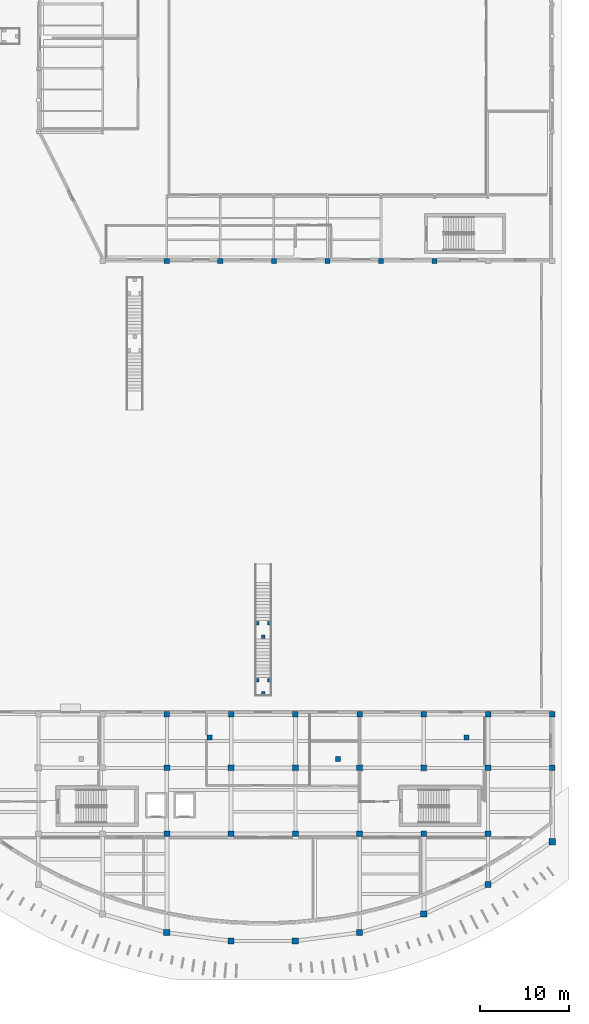
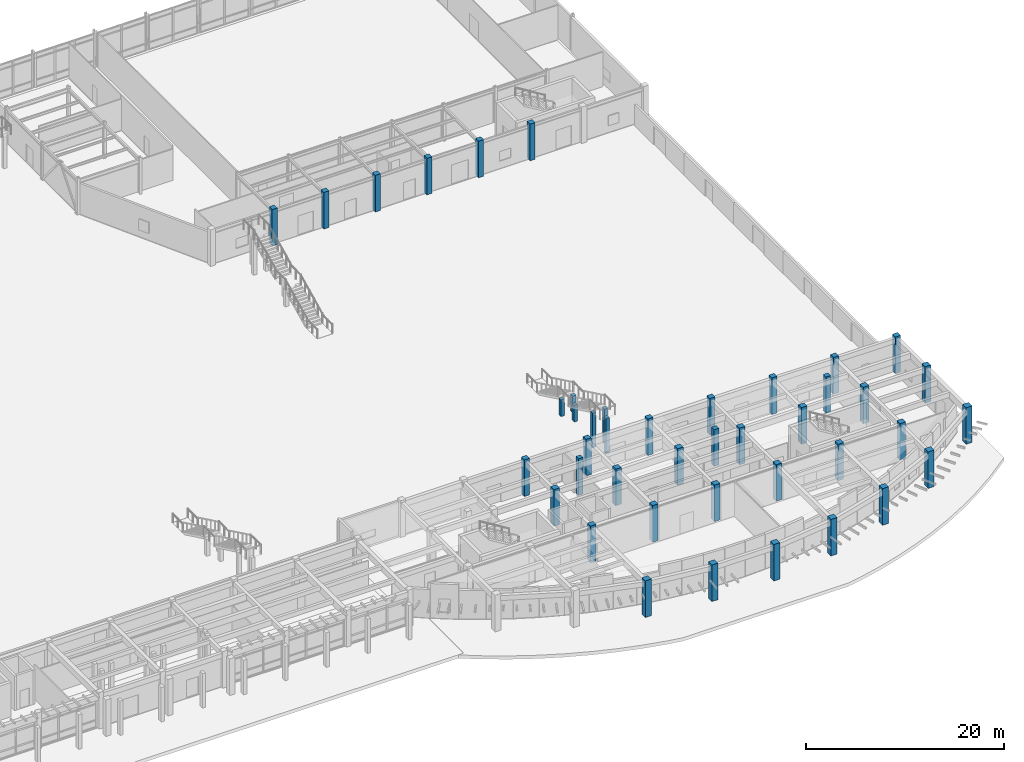
# One storey, part 4 of 58: 42 columns.
"""IFC4 building model written with IfcOpenShell, lengths in metres."""

from ifc_helpers import new_model, si_unit, direction, frame, origin, origin_2d, place, context, subcontext, project, spatial, rectangle, extrude, material, material_profile, profile_set, type_object, element, save


model = new_model("IFC4")

# Units and contexts
model_context = context("Model", 3, precision=1e-05, world=origin(), true_north=direction((0.0, 1.0)))
body_context = subcontext(model_context, "Body", "Model", "MODEL_VIEW")
ifc_project = project(units=[si_unit("LENGTHUNIT", "METRE"), si_unit("AREAUNIT", "SQUARE_METRE"), si_unit("VOLUMEUNIT", "CUBIC_METRE"), si_unit("PLANEANGLEUNIT", "RADIAN"), si_unit("MASSUNIT", "GRAM", prefix="KILO")], contexts=[model_context])

# Site, building, storey
site_placement = place(None, origin())
site = spatial("IfcSite", under=ifc_project, at=site_placement, CompositionType="ELEMENT")
building_placement = place(site_placement, origin())
building = spatial("IfcBuilding", under=site, at=building_placement, Name="Brisavento Harbour Community Centre", CompositionType="ELEMENT")
storey_placement = place(building_placement, origin())
storey = spatial("IfcBuildingStorey", under=building, at=storey_placement, Name="L00", CompositionType="ELEMENT", Elevation=0.0)

# Columns
ifc_material_1 = material(Name="Concrete C35/45", Category="concrete")
ifc_material_profile_1 = material_profile(ifc_material_1, rectangle(XDim=0.39990234375, YDim=0.39990234375, at=origin_2d()), Name="Concrete C35/45")
ifc_profile_set_1 = profile_set([ifc_material_profile_1], Name="Concrete C35/45")
column_type_1 = type_object("IfcColumnType", Name="COL-RC-400", PredefinedType="COLUMN", material=ifc_profile_set_1)
for number, where, z_axis, x_axis, name in (
    (1, (139.719970703125, 38.60009765625, 0.0), (0.0, 0.0, 1.0), (1.0, 0.0, 0.0), "MST-05 MID support column 1 L00"),
    (2, (141.080078125, 38.60009765625, 0.0), (0.0, 0.0, 1.0), (1.0, 0.0, 0.0), "MST-05 MID support column 2 L00"),
    (3, (140.39990234375, 37.110107421875, 0.0), (0.0, 0.0, 1.0), (1.0, 0.0, 0.0), "MST-05 MID support column 3 L00"),
):
    element("IfcColumn", number, at=place(storey_placement, frame(where, z_axis=z_axis, x_axis=x_axis)), inside=storey, type_object=column_type_1, Name=name, PredefinedType="COLUMN", context=body_context, shape_type="SweptSolid", body=[
        extrude(rectangle(XDim=0.39990234375, YDim=0.39990234375, at=origin_2d()), origin(), (0.0, 0.0, 1.0), 2.050048828125),
    ])
for number, where, z_axis, x_axis, name in (
    (4, (139.719970703125, 32.22998046875, 0.0), (0.0, 0.0, 1.0), (1.0, 0.0, 0.0), "MST-05 TOP support column 1 L00"),
    (5, (141.080078125, 32.22998046875, 0.0), (0.0, 0.0, 1.0), (1.0, 0.0, 0.0), "MST-05 TOP support column 2 L00"),
    (6, (140.39990234375, 30.739990234375, 0.0), (0.0, 0.0, 1.0), (1.0, 0.0, 0.0), "MST-05 TOP support column 3 L00"),
):
    element("IfcColumn", number, at=place(storey_placement, frame(where, z_axis=z_axis, x_axis=x_axis)), inside=storey, type_object=column_type_1, Name=name, PredefinedType="COLUMN", context=body_context, shape_type="SweptSolid", body=[
        extrude(rectangle(XDim=0.39990234375, YDim=0.39990234375, at=origin_2d()), origin(), (0.0, 0.0, 1.0), 4.300048828125),
    ])
ifc_material_profile_2 = material_profile(ifc_material_1, rectangle(XDim=0.550048828125, YDim=0.550048828125, at=origin_2d()), Name="Concrete C35/45")
ifc_profile_set_2 = profile_set([ifc_material_profile_2], Name="Concrete C35/45")
column_type_2 = type_object("IfcColumnType", Name="COL-RC-550", PredefinedType="COLUMN", material=ifc_profile_set_2)
for number, where, z_axis, x_axis, name in (
    (7, (134.39990234375, 25.800048828125, 0.0), (0.0, 0.0, 1.0), (1.0, 0.0, 0.0), "L00 column V3TER-134"),
    (8, (148.800048828125, 23.39990234375, 0.0), (0.0, 0.0, 1.0), (1.0, 0.0, 0.0), "L00 column V3TER-148"),
    (9, (163.199951171875, 25.800048828125, 0.0), (0.0, 0.0, 1.0), (1.0, 0.0, 0.0), "L00 column V3TER-163"),
):
    element("IfcColumn", number, at=place(storey_placement, frame(where, z_axis=z_axis, x_axis=x_axis)), inside=storey, type_object=column_type_2, Name=name, PredefinedType="COLUMN", context=body_context, shape_type="SweptSolid", body=[
        extrude(rectangle(XDim=0.550048828125, YDim=0.550048828125, at=origin_2d()), origin(), (0.0, 0.0, 1.0), 4.5),
    ])
ifc_material_profile_3 = material_profile(ifc_material_1, rectangle(XDim=0.60009765625, YDim=0.60009765625, at=origin_2d()), Name="Concrete C35/45")
ifc_profile_set_3 = profile_set([ifc_material_profile_3], Name="Concrete C35/45")
column_type_3 = type_object("IfcColumnType", Name="COL-RC-600", PredefinedType="COLUMN", material=ifc_profile_set_3)
for number, where, z_axis, x_axis, name in (
    (10, (129.60009765625, 28.39990234375, 0.0), (0.0, 0.0, 1.0), (1.0, 0.0, 0.0), "L00 column V3N2-129"),
    (11, (136.800048828125, 28.39990234375, 0.0), (0.0, 0.0, 1.0), (1.0, 0.0, 0.0), "L00 column V3N2-136"),
    (12, (144.0, 28.39990234375, 0.0), (0.0, 0.0, 1.0), (1.0, 0.0, 0.0), "L00 column V3N2-144"),
    (13, (151.199951171875, 28.39990234375, 0.0), (0.0, 0.0, 1.0), (1.0, 0.0, 0.0), "L00 column V3N2-151"),
    (14, (158.39990234375, 28.39990234375, 0.0), (0.0, 0.0, 1.0), (1.0, 0.0, 0.0), "L00 column V3N2-158"),
    (15, (165.60009765625, 28.39990234375, 0.0), (0.0, 0.0, 1.0), (1.0, 0.0, 0.0), "L00 column V3N2-165"),
    (16, (172.800048828125, 28.39990234375, 0.0), (0.0, 0.0, 1.0), (1.0, 0.0, 0.0), "L00 column V3N2-172"),
    (17, (129.60009765625, 79.199951171875, 0.0), (0.0, 0.0, 1.0), (1.0, 0.0, 0.0), "L00 column V4SB-1"),
    (18, (135.60009765625, 79.199951171875, 0.0), (0.0, 0.0, 1.0), (1.0, 0.0, 0.0), "L00 column V4SB-2"),
    (19, (141.60009765625, 79.199951171875, 0.0), (0.0, 0.0, 1.0), (1.0, 0.0, 0.0), "L00 column V4SB-3"),
    (20, (147.60009765625, 79.199951171875, 0.0), (0.0, 0.0, 1.0), (1.0, 0.0, 0.0), "L00 column V4SB-4"),
    (21, (153.60009765625, 79.199951171875, 0.0), (0.0, 0.0, 1.0), (1.0, 0.0, 0.0), "L00 column V4SB-5"),
    (22, (159.60009765625, 79.199951171875, 0.0), (0.0, 0.0, 1.0), (1.0, 0.0, 0.0), "L00 column V4SB-6"),
):
    element("IfcColumn", number, at=place(storey_placement, frame(where, z_axis=z_axis, x_axis=x_axis)), inside=storey, type_object=column_type_3, Name=name, PredefinedType="COLUMN", context=body_context, shape_type="SweptSolid", body=[
        extrude(rectangle(XDim=0.60009765625, YDim=0.60009765625, at=origin_2d()), origin(), (0.0, 0.0, 1.0), 4.5),
    ])
ifc_material_2 = material(Name="Concrete C40/50", Category="concrete")
ifc_material_profile_4 = material_profile(ifc_material_2, rectangle(XDim=0.64990234375, YDim=0.64990234375, at=origin_2d()), Name="Concrete C40/50")
ifc_profile_set_4 = profile_set([ifc_material_profile_4], Name="Concrete C40/50")
column_type_4 = type_object("IfcColumnType", Name="COL-RC-650", PredefinedType="COLUMN", material=ifc_profile_set_4)
for number, where, z_axis, x_axis, name in (
    (23, (129.60009765625, 15.0, 0.0), (0.0, 0.0, 1.0), (1.0, 0.0, 0.0), "L00 column V3M-129"),
    (24, (129.60009765625, 22.39990234375, 0.0), (0.0, 0.0, 1.0), (1.0, 0.0, 0.0), "L00 column V3N1-129"),
    (25, (136.800048828125, 15.0, 0.0), (0.0, 0.0, 1.0), (1.0, 0.0, 0.0), "L00 column V3M-136"),
    (26, (136.800048828125, 22.39990234375, 0.0), (0.0, 0.0, 1.0), (1.0, 0.0, 0.0), "L00 column V3N1-136"),
    (27, (144.0, 15.0, 0.0), (0.0, 0.0, 1.0), (1.0, 0.0, 0.0), "L00 column V3M-144"),
    (28, (144.0, 22.39990234375, 0.0), (0.0, 0.0, 1.0), (1.0, 0.0, 0.0), "L00 column V3N1-144"),
    (29, (151.199951171875, 15.0, 0.0), (0.0, 0.0, 1.0), (1.0, 0.0, 0.0), "L00 column V3M-151"),
    (30, (151.199951171875, 22.39990234375, 0.0), (0.0, 0.0, 1.0), (1.0, 0.0, 0.0), "L00 column V3N1-151"),
    (31, (158.39990234375, 15.0, 0.0), (0.0, 0.0, 1.0), (1.0, 0.0, 0.0), "L00 column V3M-158"),
    (32, (158.39990234375, 22.39990234375, 0.0), (0.0, 0.0, 1.0), (1.0, 0.0, 0.0), "L00 column V3N1-158"),
    (33, (165.60009765625, 15.0, 0.0), (0.0, 0.0, 1.0), (1.0, 0.0, 0.0), "L00 column V3M-165"),
    (34, (165.60009765625, 22.39990234375, 0.0), (0.0, 0.0, 1.0), (1.0, 0.0, 0.0), "L00 column V3N1-165"),
    (35, (172.800048828125, 22.39990234375, 0.0), (0.0, 0.0, 1.0), (1.0, 0.0, 0.0), "L00 column V3N1-172"),
):
    element("IfcColumn", number, at=place(storey_placement, frame(where, z_axis=z_axis, x_axis=x_axis)), inside=storey, type_object=column_type_4, Name=name, PredefinedType="COLUMN", context=body_context, shape_type="SweptSolid", body=[
        extrude(rectangle(XDim=0.64990234375, YDim=0.64990234375, at=origin_2d()), origin(), (0.0, 0.0, 1.0), 4.5),
    ])
ifc_material_profile_5 = material_profile(ifc_material_2, rectangle(XDim=0.699951171875, YDim=0.699951171875, at=origin_2d()), Name="Concrete C40/50")
ifc_profile_set_5 = profile_set([ifc_material_profile_5], Name="Concrete C40/50")
column_type_5 = type_object("IfcColumnType", Name="COL-RC-700", PredefinedType="COLUMN", material=ifc_profile_set_5)
for number, where, z_axis, x_axis, name in (
    (36, (129.60009765625, 3.93408203125, 0.0), (0.0, 0.0, 1.0), (1.0, 0.0, 0.0), "L00 column V3S-129"),
    (37, (136.800048828125, 3.0, 0.0), (0.0, 0.0, 1.0), (1.0, 0.0, 0.0), "L00 column V3S-136"),
    (38, (144.0, 3.0, 0.0), (0.0, 0.0, 1.0), (1.0, 0.0, 0.0), "L00 column V3S-144"),
    (39, (151.199951171875, 3.93408203125, 0.0), (0.0, 0.0, 1.0), (1.0, 0.0, 0.0), "L00 column V3S-151"),
    (40, (158.39990234375, 6.014892578125, 0.0), (0.0, 0.0, 1.0), (1.0, 0.0, 0.0), "L00 column V3S-158"),
    (41, (165.60009765625, 9.31396484375, 0.0), (0.0, 0.0, 1.0), (1.0, 0.0, 0.0), "L00 column V3S-165"),
    (42, (172.800048828125, 14.1279296875, 0.0), (0.0, 0.0, 1.0), (1.0, 0.0, 0.0), "L00 column V3S-172"),
):
    element("IfcColumn", number, at=place(storey_placement, frame(where, z_axis=z_axis, x_axis=x_axis)), inside=storey, type_object=column_type_5, Name=name, PredefinedType="COLUMN", context=body_context, shape_type="SweptSolid", body=[
        extrude(rectangle(XDim=0.699951171875, YDim=0.699951171875, at=origin_2d()), origin(), (0.0, 0.0, 1.0), 4.5),
    ])

save(model, "model.ifc")
